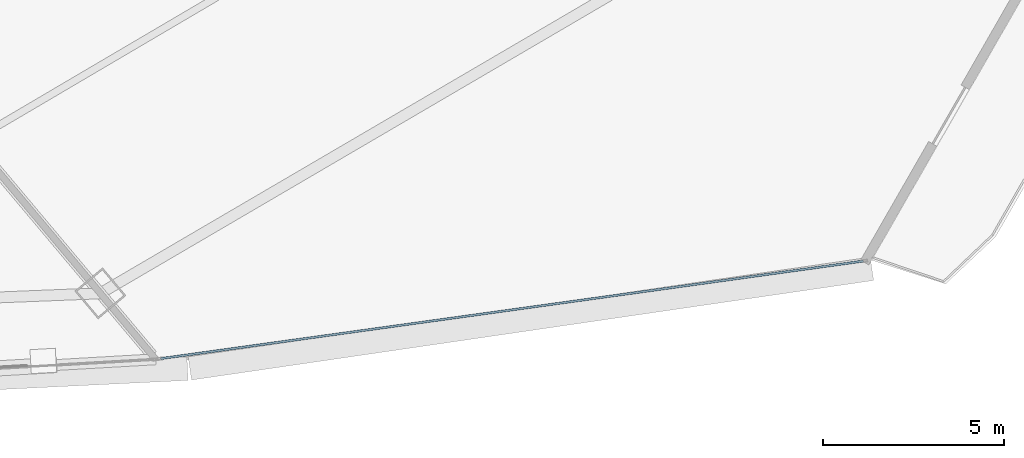
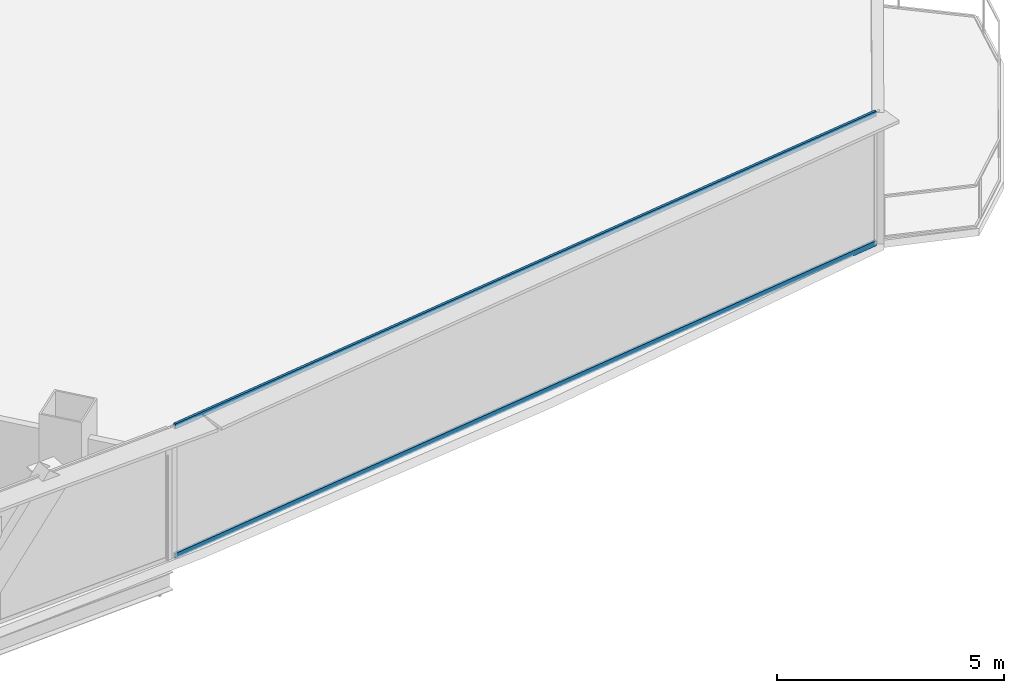
# One storey, part 19 of 37: 2 members, 1 element without a shape of its own.
"""IFC4 building model written with IfcOpenShell, lengths in metres."""

import ifcopenshell
import ifcopenshell.guid

model = None  # the IFC model being written
_history = None  # IfcOwnerHistory: only IFC2X3 demands one
_inside = {}  # id of a spatial element -> (the spatial element, [elements in it])
_under = {}  # id of a project, library or spatial element -> (it, [spatial elements below it])
_declared = {}  # id of a project -> (the project, [libraries it declares])
_typed = {}  # id of a type object -> (the type object, [elements of that type])
_made_of = {}  # id of a material, layer set ... -> (it, [elements and type objects made of it])


def new_model(schema):
    """Start an empty IFC model of exactly this schema.

    Asked for "IFC4X3", IfcOpenShell would pick the latest addendum, in which some entities
    have other attributes; the version numbers below select the first issue.
    IFC2X3 requires an IfcOwnerHistory on every rooted entity: one is made here for all.
    """
    global model, _history
    if schema == "IFC4X3":
        model = ifcopenshell.file(schema_version=(4, 3, 0, 0))
    else:
        model = ifcopenshell.file(schema=schema)
    _inside.clear()
    _under.clear()
    _declared.clear()
    _typed.clear()
    _made_of.clear()
    _history = None
    if model.schema == "IFC2X3":
        org = make("IfcOrganization", Name="unknown")
        user = make(
            "IfcPersonAndOrganization",
            ThePerson=make("IfcPerson", FamilyName="unknown"),
            TheOrganization=org,
        )
        app = make(
            "IfcApplication",
            ApplicationDeveloper=org,
            Version="unknown",
            ApplicationFullName="unknown",
            ApplicationIdentifier="unknown",
        )
        _history = make(
            "IfcOwnerHistory",
            OwningUser=user,
            OwningApplication=app,
            ChangeAction="ADDED",
            CreationDate=0,
        )
    return model


def make(cls, **values):
    """One entity of the class cls with the attributes given. An attribute that is None is left unset."""
    return model.create_entity(
        cls, **{name: value for name, value in values.items() if value is not None}
    )


def rooted(cls, **values):
    """An entity with a GlobalId (a new one), such as an element, a storey or a relation."""
    return make(cls, GlobalId=ifcopenshell.guid.new(), OwnerHistory=_history, **values)


def si_unit(unit_type, name, prefix=None):
    """IfcSIUnit, for example si_unit("LENGTHUNIT", "METRE", prefix="MILLI")."""
    return make("IfcSIUnit", UnitType=unit_type, Prefix=prefix, Name=name)


def assignment(units):
    """IfcUnitAssignment: the units of a project."""
    return None if units is None else make("IfcUnitAssignment", Units=units)


def point(xyz):
    """IfcCartesianPoint."""
    return None if xyz is None else make("IfcCartesianPoint", Coordinates=xyz)


def direction(xyz):
    """IfcDirection."""
    return None if xyz is None else make("IfcDirection", DirectionRatios=xyz)


def frame(location, z_axis=None, x_axis=None):
    """IfcAxis2Placement3D, a coordinate frame: its origin and axes. An axis left out is left unset."""
    return make(
        "IfcAxis2Placement3D",
        Location=point(location),
        Axis=direction(z_axis),
        RefDirection=direction(x_axis),
    )


def frame_2d(location, x_axis=None):
    """IfcAxis2Placement2D, a coordinate frame in the plane: its origin and x axis."""
    return make(
        "IfcAxis2Placement2D", Location=point(location), RefDirection=direction(x_axis)
    )


def origin():
    """The frame at (0, 0, 0) with its axes left unset."""
    return frame((0.0, 0.0, 0.0))


def origin_2d():
    """The frame at (0, 0) in the plane with its x axis left unset."""
    return frame_2d((0.0, 0.0))


def place(relative_to, where):
    """IfcLocalPlacement: puts the frame where relative to a parent placement (None: the world)."""
    return make(
        "IfcLocalPlacement", PlacementRelTo=relative_to, RelativePlacement=where
    )


def context(
    kind, dimensions, precision=None, world=None, true_north=None, identifier=None
):
    """IfcGeometricRepresentationContext, for example the 3D "Model" context."""
    return make(
        "IfcGeometricRepresentationContext",
        ContextIdentifier=identifier,
        ContextType=kind,
        CoordinateSpaceDimension=dimensions,
        Precision=precision,
        WorldCoordinateSystem=world,
        TrueNorth=true_north,
    )


def subcontext(parent, identifier, kind, view, scale=None):
    """IfcGeometricRepresentationSubContext, for example "Body" below "Model"."""
    return make(
        "IfcGeometricRepresentationSubContext",
        ContextIdentifier=identifier,
        ContextType=kind,
        ParentContext=parent,
        TargetScale=scale,
        TargetView=view,
    )


def project(units=None, contexts=None):
    """IfcProject with its units and contexts."""
    return rooted(
        "IfcProject",
        Name="project",
        RepresentationContexts=contexts,
        UnitsInContext=assignment(units),
    )


def spatial(cls, under=None, at=None, **own):
    """A site, building, storey or space (cls), placed at a placement, below another one or the project."""
    s = rooted(cls, ObjectPlacement=at, **own)
    if under is not None:
        _under.setdefault(under.id(), (under, []))[1].append(s)
    return s


def profile(cls, at=None, kind="AREA", **sizes):
    """A parametric profile (cls). Its sizes go by their IFC names, for example OverallWidth=200.0."""
    return make(cls, ProfileType=kind, Position=at, **sizes)


def hollow_rectangle(**sizes):
    """IfcRectangleHollowProfileDef."""
    return profile("IfcRectangleHollowProfileDef", **sizes)


def extrude(swept, where, along, depth):
    """IfcExtrudedAreaSolid: the profile swept, set in the frame where, extruded along a direction by depth."""
    return make(
        "IfcExtrudedAreaSolid",
        SweptArea=swept,
        Position=where,
        ExtrudedDirection=direction(along),
        Depth=depth,
    )


def shape(context_of_items, identifier, shape_type, items):
    """IfcShapeRepresentation: the items that make up one representation, for example the "Body"."""
    return make(
        "IfcShapeRepresentation",
        ContextOfItems=context_of_items,
        RepresentationIdentifier=identifier,
        RepresentationType=shape_type,
        Items=items,
    )


def source(mapping_origin, context_of_items, identifier, shape_type, items):
    """IfcRepresentationMap: a shape defined once, which mapped items show again and again."""
    return make(
        "IfcRepresentationMap",
        MappingOrigin=mapping_origin,
        MappedRepresentation=shape(context_of_items, identifier, shape_type, items),
    )


def transform(
    local_origin,
    x_axis=None,
    y_axis=None,
    z_axis=None,
    scale=None,
    scale2=None,
    scale3=None,
    uniform=True,
):
    """IfcCartesianTransformationOperator3D, or its non-uniform kind. x_axis, y_axis, z_axis: its Axis1, 2, 3."""
    if uniform:
        return make(
            "IfcCartesianTransformationOperator3D",
            Axis1=direction(x_axis),
            Axis2=direction(y_axis),
            LocalOrigin=point(local_origin),
            Scale=scale,
            Axis3=direction(z_axis),
        )
    return make(
        "IfcCartesianTransformationOperator3DnonUniform",
        Axis1=direction(x_axis),
        Axis2=direction(y_axis),
        LocalOrigin=point(local_origin),
        Scale=scale,
        Axis3=direction(z_axis),
        Scale2=scale2,
        Scale3=scale3,
    )


def mapped(mapping_source, mapping_target):
    """IfcMappedItem: shows the shape of a source again, moved by a transform."""
    return make(
        "IfcMappedItem", MappingSource=mapping_source, MappingTarget=mapping_target
    )


def material(Name=None, Category=None):
    """IfcMaterial."""
    return make("IfcMaterial", Name=Name, Category=Category)


def layer(
    of_material, thickness, ventilated=None, Name=None, Category=None, Priority=None
):
    """IfcMaterialLayer: one layer of a wall or slab, of a material (None: an air gap)."""
    return make(
        "IfcMaterialLayer",
        Material=of_material,
        LayerThickness=thickness,
        IsVentilated=ventilated,
        Name=Name,
        Category=Category,
        Priority=Priority,
    )


def layer_set(layers, Name=None):
    """IfcMaterialLayerSet."""
    return make("IfcMaterialLayerSet", MaterialLayers=layers, LayerSetName=Name)


def material_profile(
    of_material, cross_section, Name=None, Category=None, Priority=None
):
    """IfcMaterialProfile: a cross section and its material."""
    return make(
        "IfcMaterialProfile",
        Name=Name,
        Material=of_material,
        Profile=cross_section,
        Priority=Priority,
        Category=Category,
    )


def profile_set(profiles, Name=None, composite=None):
    """IfcMaterialProfileSet."""
    return make(
        "IfcMaterialProfileSet",
        Name=Name,
        MaterialProfiles=profiles,
        CompositeProfile=composite,
    )


def made_of(thing, what):
    """Note that an element or type object is made of a material, layer set ...; save() writes the relation."""
    if what is not None:
        _made_of.setdefault(what.id(), (what, []))[1].append(thing)
    return thing


def type_object(cls, material=None, **own):
    """A type object (cls), such as IfcWallType, which elements share."""
    return made_of(rooted(cls, **own), material)


def element(
    cls,
    number,
    at=None,
    inside=None,
    cuts=None,
    type_object=None,
    material=None,
    context=None,
    identifier="Body",
    shape_type=None,
    held_by="IfcProductDefinitionShape",
    body=None,
    shapes=None,
    **own,
):
    """One element of the class cls, such as IfcWall. Its Tag is "e" and its number.

    at: its placement. inside: the storey or other place that contains it. cuts: it is an
    opening in that element (IfcRelVoidsElement). A single representation is given by context,
    identifier, shape_type and body (its items); several are given by shapes. held_by: the class
    of the entity that holds the representations. save() writes the other relations.
    """
    e = rooted(cls, Tag="e%d" % number, ObjectPlacement=at, **own)
    if body is not None:
        shapes = [shape(context, identifier, shape_type, body)]
    if shapes is not None:
        e.Representation = make(held_by, Representations=shapes)
    if inside is not None:
        _inside.setdefault(inside.id(), (inside, []))[1].append(e)
    if cuts is not None:
        rooted(
            "IfcRelVoidsElement", RelatingBuildingElement=cuts, RelatedOpeningElement=e
        )
    if type_object is not None:
        _typed.setdefault(type_object.id(), (type_object, []))[1].append(e)
    return made_of(e, material)


def aggregate(whole, parts):
    """IfcRelAggregates: a whole, such as a stair, and the parts it consists of."""
    return rooted("IfcRelAggregates", RelatingObject=whole, RelatedObjects=parts)


def save(model, path):
    """Write the relations noted so far, then the file.

    IfcRelAggregates (storeys below a building ...), IfcRelContainedInSpatialStructure (elements
    in a storey), IfcRelDefinesByType, IfcRelAssociatesMaterial and IfcRelDeclares: one each for
    every whole, place, type object, material and project.
    """
    for whole, parts in _under.values():
        aggregate(whole, parts)
    for where, things in _inside.values():
        rooted(
            "IfcRelContainedInSpatialStructure",
            RelatedElements=things,
            RelatingStructure=where,
        )
    for kind, things in _typed.values():
        rooted("IfcRelDefinesByType", RelatedObjects=things, RelatingType=kind)
    for what, things in _made_of.values():
        rooted("IfcRelAssociatesMaterial", RelatedObjects=things, RelatingMaterial=what)
    for by, libraries in _declared.values():
        rooted("IfcRelDeclares", RelatingContext=by, RelatedDefinitions=libraries)
    model.write(path)


model = new_model("IFC4")

# Units and contexts
model_context = context("Model", 3, precision=1e-05, world=origin(), true_north=direction((0.0, 1.0)))
body_context = subcontext(model_context, "Body", "Model", "MODEL_VIEW")
ifc_project = project(units=[si_unit("LENGTHUNIT", "METRE"), si_unit("AREAUNIT", "SQUARE_METRE"), si_unit("VOLUMEUNIT", "CUBIC_METRE"), si_unit("PLANEANGLEUNIT", "RADIAN"), si_unit("MASSUNIT", "GRAM", prefix="KILO"), si_unit("THERMODYNAMICTEMPERATUREUNIT", "KELVIN"), si_unit("POWERUNIT", "WATT")], contexts=[model_context])

# Site, building, storey
site_placement = place(None, origin())
site = spatial("IfcSite", under=ifc_project, at=site_placement, CompositionType="ELEMENT")
building_placement = place(site_placement, origin())
building = spatial("IfcBuilding", under=site, at=building_placement, Name="Yunzhuo Pagoda Commons", CompositionType="ELEMENT")
storey_placement = place(building_placement, frame((0.0, 0.0, 88.780029296875)))
storey = spatial("IfcBuildingStorey", under=building, at=storey_placement, Name="L22", CompositionType="ELEMENT", Elevation=88.780029296875)

# Curtain wall, members
ifc_material = material(Name="Anodized aluminium 6063-T6", Category="aluminium")
ifc_layer = layer(ifc_material, 0.1650390625)
ifc_layer_set = layer_set([ifc_layer], Name="Anodized aluminium 6063-T6")
curtain_wall_type = type_object("IfcCurtainWallType", Name="CW-LOW Low-Zone Ribbon Curtain Wall", PredefinedType="NOTDEFINED", material=ifc_layer_set)
curtain_wall_placement = place(storey_placement, origin())
curtain_wall = element("IfcCurtainWall", 1, at=curtain_wall_placement, inside=storey, type_object=curtain_wall_type, Name="L22 curtain wall CW-L22-F1B5", PredefinedType="NOTDEFINED")
ifc_material_profile = material_profile(ifc_material, hollow_rectangle(XDim=0.06005859375, YDim=0.139892578125, WallThickness=0.00341796875, at=origin_2d()), Name="Anodized aluminium 6063-T6")
ifc_profile_set = profile_set([ifc_material_profile], Name="Anodized aluminium 6063-T6")
member_type = type_object("IfcMemberType", Name="CW-LOW-T Transom RHS 140x60x3.5", PredefinedType="USERDEFINED", material=ifc_profile_set)
shared_shape = source(origin(), body_context, "Body", "SweptSolid", [
    extrude(hollow_rectangle(XDim=0.06005859375, YDim=0.139892578125, WallThickness=0.00341796875, at=origin_2d()), origin(), (0.0, 0.0, 1.0), 19.557861328125),
])
member_1_placement = place(storey_placement, frame((66.100830078125, 12.312744140625, 0.030029296875), z_axis=(0.990501720506, 0.137500333359, 0.0), x_axis=(-0.137500333359, 0.990501720506, 0.0)))
member_1 = element("IfcMember", 2, at=member_1_placement, type_object=member_type, Name="CW transom 1.1", ObjectType="TRANSOM", PredefinedType="USERDEFINED", context=body_context, shape_type="MappedRepresentation", body=[
    mapped(shared_shape, transform((0.0, 0.0, 0.0), scale=1.0)),
])
member_2_placement = place(storey_placement, frame((66.100830078125, 12.312744140625, 3.510009765625), z_axis=(0.990501720506, 0.137500333359, 0.0), x_axis=(-0.137500333359, 0.990501720506, 0.0)))
member_2 = element("IfcMember", 3, at=member_2_placement, type_object=member_type, Name="CW transom 1.2", ObjectType="TRANSOM", PredefinedType="USERDEFINED", context=body_context, shape_type="MappedRepresentation", body=[
    mapped(shared_shape, transform((0.0, 0.0, 0.0), scale=1.0)),
])
aggregate(curtain_wall, [member_1, member_2])

save(model, "model.ifc")
